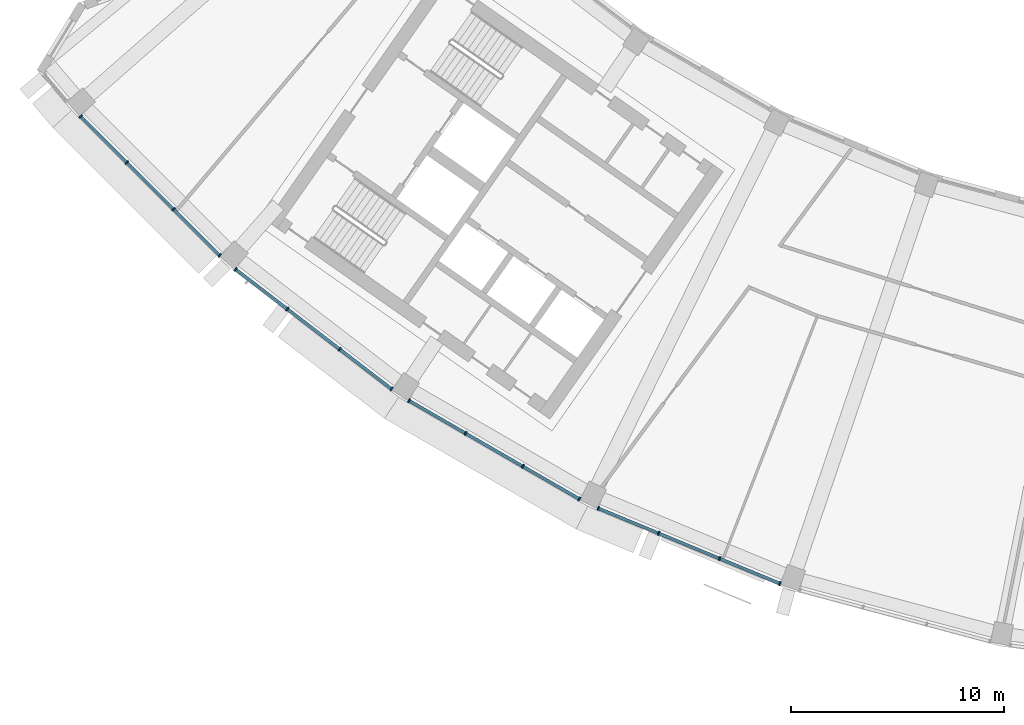
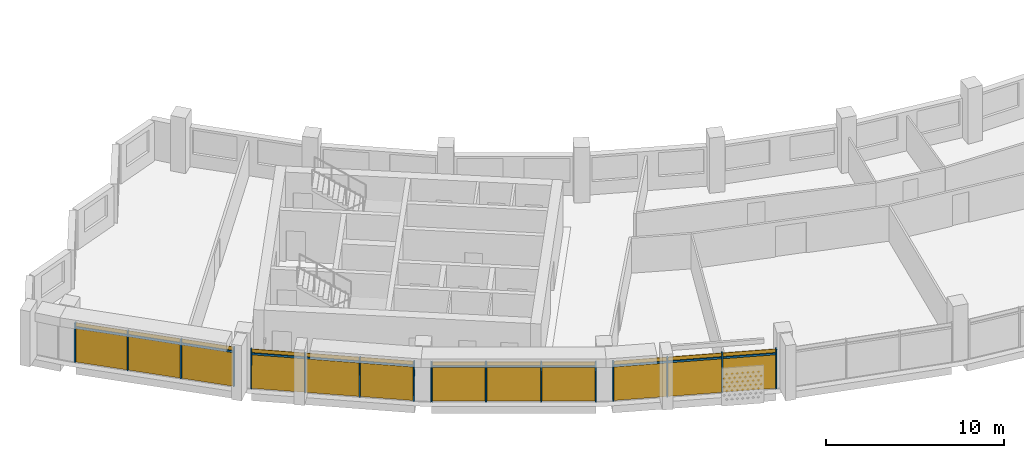
# One storey, part 18 of 28: 28 members, 4 curtain walls.
"""IFC4 building model written with IfcOpenShell, lengths in metres."""

from ifc_helpers import new_model, si_unit, direction, frame, origin, origin_2d, place, context, subcontext, project, spatial, rectangle, extrude, material, material_profile, profile_set, type_object, element, aggregate, save


model = new_model("IFC4")

# Units and contexts
model_context = context("Model", 3, precision=1e-05, world=origin(), true_north=direction((0.0, 1.0)))
body_context = subcontext(model_context, "Body", "Model", "MODEL_VIEW")
ifc_project = project(units=[si_unit("LENGTHUNIT", "METRE"), si_unit("AREAUNIT", "SQUARE_METRE"), si_unit("VOLUMEUNIT", "CUBIC_METRE"), si_unit("PLANEANGLEUNIT", "RADIAN"), si_unit("MASSUNIT", "GRAM", prefix="KILO")], contexts=[model_context])

# Member
ifc_material = material(Name="Aluminium 6063-T6 anodised", Category="aluminium")
ifc_material_profile_1 = material_profile(ifc_material, rectangle(XDim=0.199951171875, YDim=0.070068359375, at=origin_2d()))
ifc_profile_set_1 = profile_set([ifc_material_profile_1], Name="Aluminium 6063-T6 anodised")
member_type_1 = type_object("IfcMemberType", Name="Mullion 70 x 200 aluminium", PredefinedType="MULLION", material=ifc_profile_set_1)
site_placement = place(None, origin())
building_placement = place(site_placement, origin())
storey_placement = place(building_placement, frame((0.0, 0.0, 277.10009765625)))
member_1_placement = place(storey_placement, frame((-58.482421875, -51.942626953125, 0.0), z_axis=(0.0, 0.0, 1.0), x_axis=(0.707106781187, 0.707106781187, 0.0)))
member_1 = element("IfcMember", 1, at=member_1_placement, type_object=member_type_1, Name="e-cw1-L67-out01/M00", PredefinedType="MULLION", context=body_context, shape_type="SweptSolid", body=[
    extrude(rectangle(XDim=0.199951171875, YDim=0.070068359375, at=origin_2d()), origin(), (0.0, 0.0, 1.0), 2.699951171875),
])

member_2_placement = place(storey_placement, frame((-56.310791015625, -54.1142578125, 0.0), z_axis=(0.0, 0.0, 1.0), x_axis=(0.707106781187, 0.707106781187, 0.0)))
member_2 = element("IfcMember", 2, at=member_2_placement, type_object=member_type_1, Name="e-cw1-L67-out01/M01", PredefinedType="MULLION", context=body_context, shape_type="SweptSolid", body=[
    extrude(rectangle(XDim=0.199951171875, YDim=0.070068359375, at=origin_2d()), origin(), (0.0, 0.0, 1.0), 2.699951171875),
])

member_3_placement = place(storey_placement, frame((-54.1142578125, -56.310791015625, 0.0), z_axis=(0.0, 0.0, 1.0), x_axis=(0.707106781187, 0.707106781187, 0.0)))
member_3 = element("IfcMember", 3, at=member_3_placement, type_object=member_type_1, Name="e-cw1-L67-out01/M02", PredefinedType="MULLION", context=body_context, shape_type="SweptSolid", body=[
    extrude(rectangle(XDim=0.199951171875, YDim=0.070068359375, at=origin_2d()), origin(), (0.0, 0.0, 1.0), 2.699951171875),
])

member_4_placement = place(storey_placement, frame((-51.942626953125, -58.482421875, 0.0), z_axis=(0.0, 0.0, 1.0), x_axis=(0.707106781187, 0.707106781187, 0.0)))
member_4 = element("IfcMember", 4, at=member_4_placement, type_object=member_type_1, Name="e-cw1-L67-out01/M03", PredefinedType="MULLION", context=body_context, shape_type="SweptSolid", body=[
    extrude(rectangle(XDim=0.199951171875, YDim=0.070068359375, at=origin_2d()), origin(), (0.0, 0.0, 1.0), 2.699951171875),
])

member_5_placement = place(storey_placement, frame((-51.2021484375, -59.131591796875, 0.0), z_axis=(0.0, 0.0, 1.0), x_axis=(0.608761429009, 0.793353340291, 0.0)))
member_5 = element("IfcMember", 5, at=member_5_placement, type_object=member_type_1, Name="e-cw1-L67-out02/M00", PredefinedType="MULLION", context=body_context, shape_type="SweptSolid", body=[
    extrude(rectangle(XDim=0.199951171875, YDim=0.070068359375, at=origin_2d()), origin(), (0.0, 0.0, 1.0), 2.699951171875),
])

member_6_placement = place(storey_placement, frame((-48.765625, -61.001220703125, 0.0), z_axis=(0.0, 0.0, 1.0), x_axis=(0.608761429009, 0.793353340291, 0.0)))
member_6 = element("IfcMember", 6, at=member_6_placement, type_object=member_type_1, Name="e-cw1-L67-out02/M01", PredefinedType="MULLION", context=body_context, shape_type="SweptSolid", body=[
    extrude(rectangle(XDim=0.199951171875, YDim=0.070068359375, at=origin_2d()), origin(), (0.0, 0.0, 1.0), 2.699951171875),
])

member_7_placement = place(storey_placement, frame((-46.30126953125, -62.892333984375, 0.0), z_axis=(0.0, 0.0, 1.0), x_axis=(0.608761429009, 0.793353340291, 0.0)))
member_7 = element("IfcMember", 7, at=member_7_placement, type_object=member_type_1, Name="e-cw1-L67-out02/M02", PredefinedType="MULLION", context=body_context, shape_type="SweptSolid", body=[
    extrude(rectangle(XDim=0.199951171875, YDim=0.070068359375, at=origin_2d()), origin(), (0.0, 0.0, 1.0), 2.699951171875),
])

member_8_placement = place(storey_placement, frame((-43.86474609375, -64.761962890625, 0.0), z_axis=(0.0, 0.0, 1.0), x_axis=(0.608761429009, 0.793353340291, 0.0)))
member_8 = element("IfcMember", 8, at=member_8_placement, type_object=member_type_1, Name="e-cw1-L67-out02/M03", PredefinedType="MULLION", context=body_context, shape_type="SweptSolid", body=[
    extrude(rectangle(XDim=0.199951171875, YDim=0.070068359375, at=origin_2d()), origin(), (0.0, 0.0, 1.0), 2.699951171875),
])

member_9_placement = place(storey_placement, frame((-43.0458984375, -65.30908203125, 0.0), z_axis=(0.0, 0.0, 1.0), x_axis=(0.5, 0.866025403784, 0.0)))
member_9 = element("IfcMember", 9, at=member_9_placement, type_object=member_type_1, Name="e-cw1-L67-out03/M00", PredefinedType="MULLION", context=body_context, shape_type="SweptSolid", body=[
    extrude(rectangle(XDim=0.199951171875, YDim=0.070068359375, at=origin_2d()), origin(), (0.0, 0.0, 1.0), 2.699951171875),
])

member_10_placement = place(storey_placement, frame((-40.38623046875, -66.8447265625, 0.0), z_axis=(0.0, 0.0, 1.0), x_axis=(0.5, 0.866025403784, 0.0)))
member_10 = element("IfcMember", 10, at=member_10_placement, type_object=member_type_1, Name="e-cw1-L67-out03/M01", PredefinedType="MULLION", context=body_context, shape_type="SweptSolid", body=[
    extrude(rectangle(XDim=0.199951171875, YDim=0.070068359375, at=origin_2d()), origin(), (0.0, 0.0, 1.0), 2.699951171875),
])

member_11_placement = place(storey_placement, frame((-37.696044921875, -68.397705078125, 0.0), z_axis=(0.0, 0.0, 1.0), x_axis=(0.5, 0.866025403784, 0.0)))
member_11 = element("IfcMember", 11, at=member_11_placement, type_object=member_type_1, Name="e-cw1-L67-out03/M02", PredefinedType="MULLION", context=body_context, shape_type="SweptSolid", body=[
    extrude(rectangle(XDim=0.199951171875, YDim=0.070068359375, at=origin_2d()), origin(), (0.0, 0.0, 1.0), 2.699951171875),
])

member_12_placement = place(storey_placement, frame((-35.036376953125, -69.933349609375, 0.0), z_axis=(0.0, 0.0, 1.0), x_axis=(0.5, 0.866025403784, 0.0)))
member_12 = element("IfcMember", 12, at=member_12_placement, type_object=member_type_1, Name="e-cw1-L67-out03/M03", PredefinedType="MULLION", context=body_context, shape_type="SweptSolid", body=[
    extrude(rectangle(XDim=0.199951171875, YDim=0.070068359375, at=origin_2d()), origin(), (0.0, 0.0, 1.0), 2.699951171875),
])

member_13_placement = place(storey_placement, frame((-34.153076171875, -70.368896484375, 0.0), z_axis=(0.0, 0.0, 1.0), x_axis=(0.382683432365, 0.923879532511, 0.0)))
member_13 = element("IfcMember", 13, at=member_13_placement, type_object=member_type_1, Name="e-cw1-L67-out04/M00", PredefinedType="MULLION", context=body_context, shape_type="SweptSolid", body=[
    extrude(rectangle(XDim=0.199951171875, YDim=0.070068359375, at=origin_2d()), origin(), (0.0, 0.0, 1.0), 2.699951171875),
])

member_14_placement = place(storey_placement, frame((-31.315673828125, -71.544189453125, 0.0), z_axis=(0.0, 0.0, 1.0), x_axis=(0.382683432365, 0.923879532511, 0.0)))
member_14 = element("IfcMember", 14, at=member_14_placement, type_object=member_type_1, Name="e-cw1-L67-out04/M01", PredefinedType="MULLION", context=body_context, shape_type="SweptSolid", body=[
    extrude(rectangle(XDim=0.199951171875, YDim=0.070068359375, at=origin_2d()), origin(), (0.0, 0.0, 1.0), 2.699951171875),
])

member_15_placement = place(storey_placement, frame((-28.44580078125, -72.73291015625, 0.0), z_axis=(0.0, 0.0, 1.0), x_axis=(0.382683432365, 0.923879532511, 0.0)))
member_15 = element("IfcMember", 15, at=member_15_placement, type_object=member_type_1, Name="e-cw1-L67-out04/M02", PredefinedType="MULLION", context=body_context, shape_type="SweptSolid", body=[
    extrude(rectangle(XDim=0.199951171875, YDim=0.070068359375, at=origin_2d()), origin(), (0.0, 0.0, 1.0), 2.699951171875),
])

member_16_placement = place(storey_placement, frame((-25.6083984375, -73.908203125, 0.0), z_axis=(0.0, 0.0, 1.0), x_axis=(0.382683432365, 0.923879532511, 0.0)))
member_16 = element("IfcMember", 16, at=member_16_placement, type_object=member_type_1, Name="e-cw1-L67-out04/M03", PredefinedType="MULLION", context=body_context, shape_type="SweptSolid", body=[
    extrude(rectangle(XDim=0.199951171875, YDim=0.070068359375, at=origin_2d()), origin(), (0.0, 0.0, 1.0), 2.699951171875),
])

ifc_material_profile_2 = material_profile(ifc_material, rectangle(XDim=0.139892578125, YDim=0.1201171875, at=origin_2d()))
ifc_profile_set_2 = profile_set([ifc_material_profile_2], Name="Aluminium 6063-T6 anodised")
member_type_2 = type_object("IfcMemberType", Name="Transom 120 x 140 aluminium", PredefinedType="USERDEFINED", material=ifc_profile_set_2)
member_17_placement = place(storey_placement, frame((-58.45751953125, -51.96728515625, 2.39990234375), z_axis=(0.707066106633, -0.707147453401, 0.0), x_axis=(0.707147453401, 0.707066106633, 0.0)))
member_17 = element("IfcMember", 17, at=member_17_placement, type_object=member_type_2, Name="e-cw1-L67-out01/T00", ObjectType="TRANSOM", PredefinedType="USERDEFINED", context=body_context, shape_type="SweptSolid", body=[
    extrude(rectangle(XDim=0.139892578125, YDim=0.1201171875, at=origin_2d()), origin(), (0.0, 0.0, 1.0), 3.001220703125),
])

member_18_placement = place(storey_placement, frame((-56.285888671875, -54.138916015625, 2.39990234375), z_axis=(0.707106781187, -0.707106781187, 0.0), x_axis=(0.707106781187, 0.707106781187, 0.0)))
member_18 = element("IfcMember", 18, at=member_18_placement, type_object=member_type_2, Name="e-cw1-L67-out01/T01", ObjectType="TRANSOM", PredefinedType="USERDEFINED", context=body_context, shape_type="SweptSolid", body=[
    extrude(rectangle(XDim=0.139892578125, YDim=0.1201171875, at=origin_2d()), origin(), (0.0, 0.0, 1.0), 3.036376953125),
])

member_19_placement = place(storey_placement, frame((-54.089599609375, -56.33544921875, 2.39990234375), z_axis=(0.707147453401, -0.707066106633, 0.0), x_axis=(0.707066106633, 0.707147453401, 0.0)))
member_19 = element("IfcMember", 19, at=member_19_placement, type_object=member_type_2, Name="e-cw1-L67-out01/T02", ObjectType="TRANSOM", PredefinedType="USERDEFINED", context=body_context, shape_type="SweptSolid", body=[
    extrude(rectangle(XDim=0.139892578125, YDim=0.1201171875, at=origin_2d()), origin(), (0.0, 0.0, 1.0), 3.001220703125),
])

member_20_placement = place(storey_placement, frame((-51.17431640625, -59.153076171875, 2.39990234375), z_axis=(0.793352271072, -0.60876282244, 0.0), x_axis=(0.60876282244, 0.793352271072, 0.0)))
member_20 = element("IfcMember", 20, at=member_20_placement, type_object=member_type_2, Name="e-cw1-L67-out02/T00", ObjectType="TRANSOM", PredefinedType="USERDEFINED", context=body_context, shape_type="SweptSolid", body=[
    extrude(rectangle(XDim=0.139892578125, YDim=0.1201171875, at=origin_2d()), origin(), (0.0, 0.0, 1.0), 3.0009765625),
])

member_21_placement = place(storey_placement, frame((-48.73779296875, -61.022705078125, 2.39990234375), z_axis=(0.79333190513, -0.608789362836, 0.0), x_axis=(0.608789362836, 0.79333190513, 0.0)))
member_21 = element("IfcMember", 21, at=member_21_placement, type_object=member_type_2, Name="e-cw1-L67-out02/T01", ObjectType="TRANSOM", PredefinedType="USERDEFINED", context=body_context, shape_type="SweptSolid", body=[
    extrude(rectangle(XDim=0.139892578125, YDim=0.1201171875, at=origin_2d()), origin(), (0.0, 0.0, 1.0), 3.0361328125),
])

member_22_placement = place(storey_placement, frame((-46.2734375, -62.91357421875, 2.39990234375), z_axis=(0.793312980955, -0.60881402271, 0.0), x_axis=(0.60881402271, 0.793312980955, 0.0)))
member_22 = element("IfcMember", 22, at=member_22_placement, type_object=member_type_2, Name="e-cw1-L67-out02/T02", ObjectType="TRANSOM", PredefinedType="USERDEFINED", context=body_context, shape_type="SweptSolid", body=[
    extrude(rectangle(XDim=0.139892578125, YDim=0.1201171875, at=origin_2d()), origin(), (0.0, 0.0, 1.0), 3.001220703125),
])

member_23_placement = place(storey_placement, frame((-43.015625, -65.32666015625, 2.39990234375), z_axis=(0.866041993159, -0.49997126526, 0.0), x_axis=(0.49997126526, 0.866041993159, 0.0)))
member_23 = element("IfcMember", 23, at=member_23_placement, type_object=member_type_2, Name="e-cw1-L67-out03/T00", ObjectType="TRANSOM", PredefinedType="USERDEFINED", context=body_context, shape_type="SweptSolid", body=[
    extrude(rectangle(XDim=0.139892578125, YDim=0.1201171875, at=origin_2d()), origin(), (0.0, 0.0, 1.0), 3.001220703125),
])

member_24_placement = place(storey_placement, frame((-40.35595703125, -66.862060546875, 2.39990234375), z_axis=(0.866012861315, -0.500021723565, 0.0), x_axis=(0.500021723565, 0.866012861315, 0.0)))
member_24 = element("IfcMember", 24, at=member_24_placement, type_object=member_type_2, Name="e-cw1-L67-out03/T01", ObjectType="TRANSOM", PredefinedType="USERDEFINED", context=body_context, shape_type="SweptSolid", body=[
    extrude(rectangle(XDim=0.139892578125, YDim=0.1201171875, at=origin_2d()), origin(), (0.0, 0.0, 1.0), 3.036376953125),
])

member_25_placement = place(storey_placement, frame((-37.665771484375, -68.415283203125, 2.39990234375), z_axis=(0.866041993159, -0.49997126526, 0.0), x_axis=(0.49997126526, 0.866041993159, 0.0)))
member_25 = element("IfcMember", 25, at=member_25_placement, type_object=member_type_2, Name="e-cw1-L67-out03/T02", ObjectType="TRANSOM", PredefinedType="USERDEFINED", context=body_context, shape_type="SweptSolid", body=[
    extrude(rectangle(XDim=0.139892578125, YDim=0.1201171875, at=origin_2d()), origin(), (0.0, 0.0, 1.0), 3.001220703125),
])

member_26_placement = place(storey_placement, frame((-34.120849609375, -70.38232421875, 2.39990234375), z_axis=(0.923897869521, -0.382639159907, 0.0), x_axis=(0.382639159907, 0.923897869521, 0.0)))
member_26 = element("IfcMember", 26, at=member_26_placement, type_object=member_type_2, Name="e-cw1-L67-out04/T00", ObjectType="TRANSOM", PredefinedType="USERDEFINED", context=body_context, shape_type="SweptSolid", body=[
    extrude(rectangle(XDim=0.139892578125, YDim=0.1201171875, at=origin_2d()), origin(), (0.0, 0.0, 1.0), 3.00146484375),
])

member_27_placement = place(storey_placement, frame((-31.283447265625, -71.5576171875, 2.39990234375), z_axis=(0.923888454036, -0.38266189319, 0.0), x_axis=(0.38266189319, 0.923888454036, 0.0)))
member_27 = element("IfcMember", 27, at=member_27_placement, type_object=member_type_2, Name="e-cw1-L67-out04/T01", ObjectType="TRANSOM", PredefinedType="USERDEFINED", context=body_context, shape_type="SweptSolid", body=[
    extrude(rectangle(XDim=0.139892578125, YDim=0.1201171875, at=origin_2d()), origin(), (0.0, 0.0, 1.0), 3.036376953125),
])

member_28_placement = place(storey_placement, frame((-28.41357421875, -72.746337890625, 2.39990234375), z_axis=(0.923885958475, -0.382667918347, 0.0), x_axis=(0.382667918347, 0.923885958475, 0.0)))
member_28 = element("IfcMember", 28, at=member_28_placement, type_object=member_type_2, Name="e-cw1-L67-out04/T02", ObjectType="TRANSOM", PredefinedType="USERDEFINED", context=body_context, shape_type="SweptSolid", body=[
    extrude(rectangle(XDim=0.139892578125, YDim=0.1201171875, at=origin_2d()), origin(), (0.0, 0.0, 1.0), 3.001220703125),
])

# Site, building, storey
site = spatial("IfcSite", under=ifc_project, at=site_placement, CompositionType="ELEMENT")
building = spatial("IfcBuilding", under=site, at=building_placement, Name="Qamariyya Broadcast Tower", CompositionType="ELEMENT")
storey = spatial("IfcBuildingStorey", under=building, at=storey_placement, Name="L67", CompositionType="ELEMENT", Elevation=277.10009765625)

# Curtain wall
curtain_wall_type = type_object("IfcCurtainWallType", Name="Unitised curtain wall, anodised aluminium", PredefinedType="NOTDEFINED", material=ifc_material)
curtain_wall_1_placement = place(storey_placement, origin())
curtain_wall_1 = element("IfcCurtainWall", 29, at=curtain_wall_1_placement, inside=storey, type_object=curtain_wall_type, Name="e-cw1-L67-out01", PredefinedType="NOTDEFINED", context=body_context, shape_type="SweptSolid", body=[
    extrude(rectangle(XDim=3.001220703125, YDim=0.031982421875, at=origin_2d()), frame((-57.396484375, -53.0283203125, 0.0), x_axis=(0.707106781187, -0.707106781187, 0.0)), (0.0, 0.0, 1.0), 2.340087890625),
    extrude(rectangle(XDim=3.001220703125, YDim=0.031982421875, at=origin_2d()), frame((-57.396484375, -53.0283203125, 2.4599609375), x_axis=(0.707106781187, -0.707106781187, 0.0)), (0.0, 0.0, 1.0), 0.239990234375),
    extrude(rectangle(XDim=3.0361328125, YDim=0.031982421875, at=origin_2d()), frame((-55.21240234375, -55.21240234375, 0.0), x_axis=(0.707106781187, -0.707106781187, 0.0)), (0.0, 0.0, 1.0), 2.340087890625),
    extrude(rectangle(XDim=3.0361328125, YDim=0.031982421875, at=origin_2d()), frame((-55.21240234375, -55.21240234375, 2.4599609375), x_axis=(0.707106781187, -0.707106781187, 0.0)), (0.0, 0.0, 1.0), 0.239990234375),
    extrude(rectangle(XDim=3.001220703125, YDim=0.031982421875, at=origin_2d()), frame((-53.0283203125, -57.396484375, 0.0), x_axis=(0.707106781187, -0.707106781187, 0.0)), (0.0, 0.0, 1.0), 2.340087890625),
    extrude(rectangle(XDim=3.001220703125, YDim=0.031982421875, at=origin_2d()), frame((-53.0283203125, -57.396484375, 2.4599609375), x_axis=(0.707106781187, -0.707106781187, 0.0)), (0.0, 0.0, 1.0), 0.239990234375),
])

aggregate(curtain_wall_1, [member_1, member_2, member_3, member_4, member_17, member_18, member_19])

curtain_wall_2_placement = place(storey_placement, origin())
curtain_wall_2 = element("IfcCurtainWall", 30, at=curtain_wall_2_placement, inside=storey, type_object=curtain_wall_type, Name="e-cw1-L67-out02", PredefinedType="NOTDEFINED", context=body_context, shape_type="SweptSolid", body=[
    extrude(rectangle(XDim=3.001220703125, YDim=0.031982421875, at=origin_2d()), frame((-49.98388671875, -60.06640625, 0.0), x_axis=(0.793355818396, -0.608758199466, 0.0)), (0.0, 0.0, 1.0), 2.340087890625),
    extrude(rectangle(XDim=3.001220703125, YDim=0.031982421875, at=origin_2d()), frame((-49.98388671875, -60.06640625, 2.4599609375), x_axis=(0.793355818396, -0.608758199466, 0.0)), (0.0, 0.0, 1.0), 0.239990234375),
    extrude(rectangle(XDim=3.0361328125, YDim=0.031982421875, at=origin_2d()), frame((-47.533447265625, -61.94677734375, 0.0), x_axis=(0.793355818396, -0.608758199466, 0.0)), (0.0, 0.0, 1.0), 2.340087890625),
    extrude(rectangle(XDim=3.0361328125, YDim=0.031982421875, at=origin_2d()), frame((-47.533447265625, -61.94677734375, 2.4599609375), x_axis=(0.793355818396, -0.608758199466, 0.0)), (0.0, 0.0, 1.0), 0.239990234375),
    extrude(rectangle(XDim=3.001220703125, YDim=0.031982421875, at=origin_2d()), frame((-45.0830078125, -63.8271484375, 0.0), x_axis=(0.793355818396, -0.608758199466, 0.0)), (0.0, 0.0, 1.0), 2.340087890625),
    extrude(rectangle(XDim=3.001220703125, YDim=0.031982421875, at=origin_2d()), frame((-45.0830078125, -63.8271484375, 2.4599609375), x_axis=(0.793355818396, -0.608758199466, 0.0)), (0.0, 0.0, 1.0), 0.239990234375),
])

aggregate(curtain_wall_2, [member_5, member_6, member_7, member_8, member_20, member_21, member_22])

curtain_wall_3_placement = place(storey_placement, origin())
curtain_wall_3 = element("IfcCurtainWall", 31, at=curtain_wall_3_placement, inside=storey, type_object=curtain_wall_type, Name="e-cw1-L67-out03", PredefinedType="NOTDEFINED", context=body_context, shape_type="SweptSolid", body=[
    extrude(rectangle(XDim=3.001220703125, YDim=0.031982421875, at=origin_2d()), frame((-41.716064453125, -66.076904296875, 0.0), x_axis=(0.866017611601, -0.500013496215, 0.0)), (0.0, 0.0, 1.0), 2.340087890625),
    extrude(rectangle(XDim=3.001220703125, YDim=0.031982421875, at=origin_2d()), frame((-41.716064453125, -66.076904296875, 2.4599609375), x_axis=(0.866017611601, -0.500013496215, 0.0)), (0.0, 0.0, 1.0), 0.239990234375),
    extrude(rectangle(XDim=3.0361328125, YDim=0.031982421875, at=origin_2d()), frame((-39.041015625, -67.62109375, 0.0), x_axis=(0.866017611601, -0.500013496215, 0.0)), (0.0, 0.0, 1.0), 2.340087890625),
    extrude(rectangle(XDim=3.0361328125, YDim=0.031982421875, at=origin_2d()), frame((-39.041015625, -67.62109375, 2.4599609375), x_axis=(0.866017611601, -0.500013496215, 0.0)), (0.0, 0.0, 1.0), 0.239990234375),
    extrude(rectangle(XDim=3.001220703125, YDim=0.031982421875, at=origin_2d()), frame((-36.3662109375, -69.16552734375, 0.0), x_axis=(0.866017611601, -0.500013496215, 0.0)), (0.0, 0.0, 1.0), 2.340087890625),
    extrude(rectangle(XDim=3.001220703125, YDim=0.031982421875, at=origin_2d()), frame((-36.3662109375, -69.16552734375, 2.4599609375), x_axis=(0.866017611601, -0.500013496215, 0.0)), (0.0, 0.0, 1.0), 0.239990234375),
])

aggregate(curtain_wall_3, [member_9, member_10, member_11, member_12, member_23, member_24, member_25])

curtain_wall_4_placement = place(storey_placement, origin())
curtain_wall_4 = element("IfcCurtainWall", 32, at=curtain_wall_4_placement, inside=storey, type_object=curtain_wall_type, Name="e-cw1-L67-out04", PredefinedType="NOTDEFINED", context=body_context, shape_type="SweptSolid", body=[
    extrude(rectangle(XDim=3.001220703125, YDim=0.031982421875, at=origin_2d()), frame((-32.734375, -70.95654296875, 0.0), x_axis=(0.923877930643, -0.382687299595, 0.0)), (0.0, 0.0, 1.0), 2.340087890625),
    extrude(rectangle(XDim=3.001220703125, YDim=0.031982421875, at=origin_2d()), frame((-32.734375, -70.95654296875, 2.4599609375), x_axis=(0.923877930643, -0.382687299595, 0.0)), (0.0, 0.0, 1.0), 0.239990234375),
    extrude(rectangle(XDim=3.0361328125, YDim=0.031982421875, at=origin_2d()), frame((-29.880859375, -72.138671875, 0.0), x_axis=(0.923877930643, -0.382687299595, 0.0)), (0.0, 0.0, 1.0), 2.340087890625),
    extrude(rectangle(XDim=3.0361328125, YDim=0.031982421875, at=origin_2d()), frame((-29.880859375, -72.138671875, 2.4599609375), x_axis=(0.923877930643, -0.382687299595, 0.0)), (0.0, 0.0, 1.0), 0.239990234375),
    extrude(rectangle(XDim=3.001220703125, YDim=0.031982421875, at=origin_2d()), frame((-27.02734375, -73.320556640625, 0.0), x_axis=(0.923877930643, -0.382687299595, 0.0)), (0.0, 0.0, 1.0), 2.340087890625),
    extrude(rectangle(XDim=3.001220703125, YDim=0.031982421875, at=origin_2d()), frame((-27.02734375, -73.320556640625, 2.4599609375), x_axis=(0.923877930643, -0.382687299595, 0.0)), (0.0, 0.0, 1.0), 0.239990234375),
])

aggregate(curtain_wall_4, [member_13, member_14, member_15, member_16, member_26, member_27, member_28])

save(model, "model.ifc")
